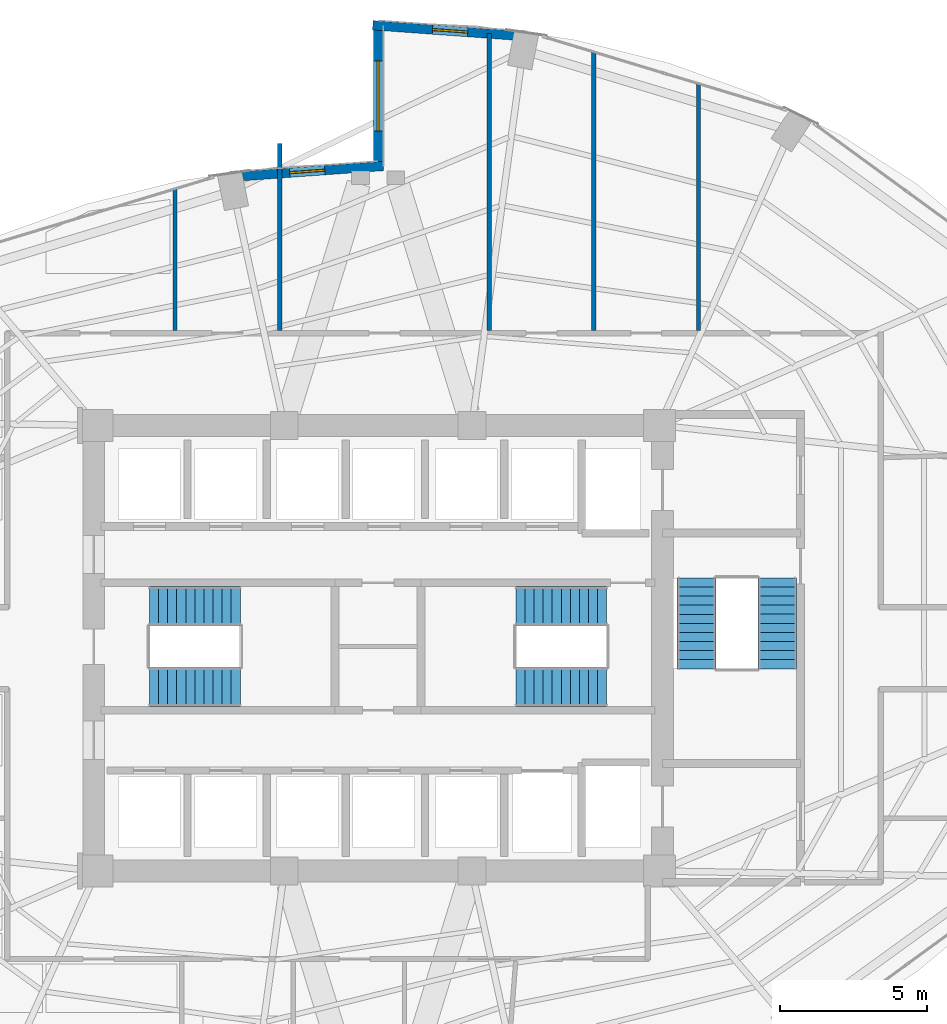
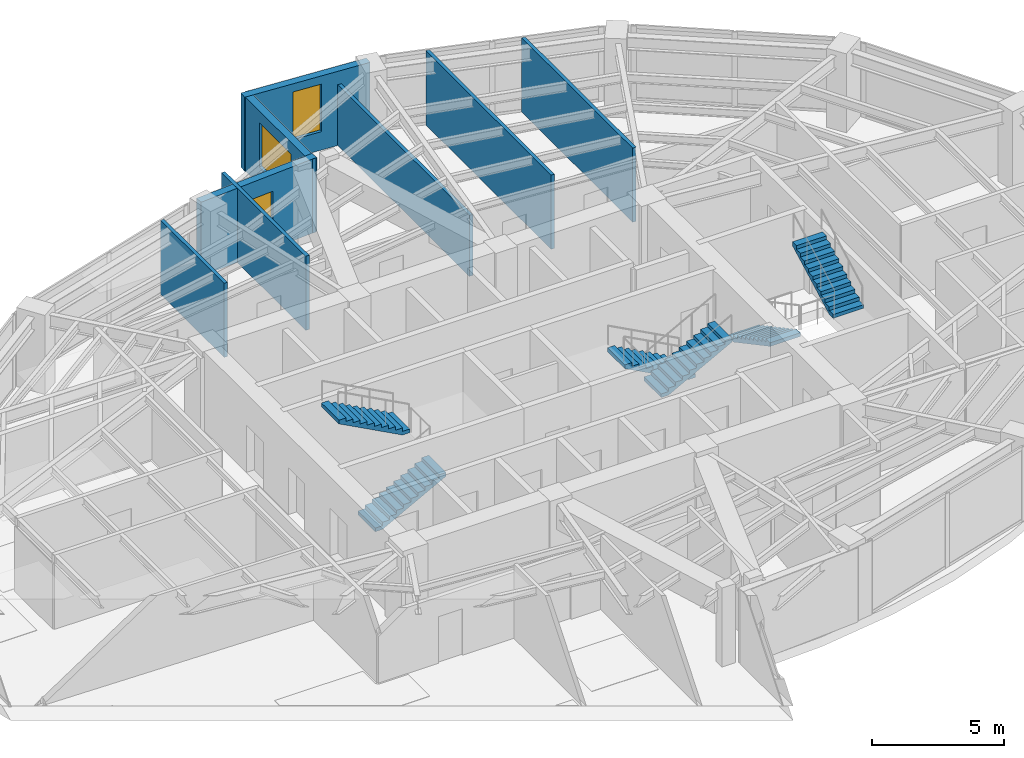
# One storey, part 21 of 23: 8 walls, 6 stair flights, 3 windows, 3 openings, 3 elements without a shape of their own.
"""IFC4 building model written with IfcOpenShell, lengths in metres."""

import ifcopenshell
import ifcopenshell.guid

model = None  # the IFC model being written
_history = None  # IfcOwnerHistory: only IFC2X3 demands one
_inside = {}  # id of a spatial element -> (the spatial element, [elements in it])
_under = {}  # id of a project, library or spatial element -> (it, [spatial elements below it])
_declared = {}  # id of a project -> (the project, [libraries it declares])
_typed = {}  # id of a type object -> (the type object, [elements of that type])
_made_of = {}  # id of a material, layer set ... -> (it, [elements and type objects made of it])


def new_model(schema):
    """Start an empty IFC model of exactly this schema.

    Asked for "IFC4X3", IfcOpenShell would pick the latest addendum, in which some entities
    have other attributes; the version numbers below select the first issue.
    IFC2X3 requires an IfcOwnerHistory on every rooted entity: one is made here for all.
    """
    global model, _history
    if schema == "IFC4X3":
        model = ifcopenshell.file(schema_version=(4, 3, 0, 0))
    else:
        model = ifcopenshell.file(schema=schema)
    _inside.clear()
    _under.clear()
    _declared.clear()
    _typed.clear()
    _made_of.clear()
    _history = None
    if model.schema == "IFC2X3":
        org = make("IfcOrganization", Name="unknown")
        user = make(
            "IfcPersonAndOrganization",
            ThePerson=make("IfcPerson", FamilyName="unknown"),
            TheOrganization=org,
        )
        app = make(
            "IfcApplication",
            ApplicationDeveloper=org,
            Version="unknown",
            ApplicationFullName="unknown",
            ApplicationIdentifier="unknown",
        )
        _history = make(
            "IfcOwnerHistory",
            OwningUser=user,
            OwningApplication=app,
            ChangeAction="ADDED",
            CreationDate=0,
        )
    return model


def make(cls, **values):
    """One entity of the class cls with the attributes given. An attribute that is None is left unset."""
    return model.create_entity(
        cls, **{name: value for name, value in values.items() if value is not None}
    )


def rooted(cls, **values):
    """An entity with a GlobalId (a new one), such as an element, a storey or a relation."""
    return make(cls, GlobalId=ifcopenshell.guid.new(), OwnerHistory=_history, **values)


def si_unit(unit_type, name, prefix=None):
    """IfcSIUnit, for example si_unit("LENGTHUNIT", "METRE", prefix="MILLI")."""
    return make("IfcSIUnit", UnitType=unit_type, Prefix=prefix, Name=name)


def assignment(units):
    """IfcUnitAssignment: the units of a project."""
    return None if units is None else make("IfcUnitAssignment", Units=units)


def point(xyz):
    """IfcCartesianPoint."""
    return None if xyz is None else make("IfcCartesianPoint", Coordinates=xyz)


def direction(xyz):
    """IfcDirection."""
    return None if xyz is None else make("IfcDirection", DirectionRatios=xyz)


def frame(location, z_axis=None, x_axis=None):
    """IfcAxis2Placement3D, a coordinate frame: its origin and axes. An axis left out is left unset."""
    return make(
        "IfcAxis2Placement3D",
        Location=point(location),
        Axis=direction(z_axis),
        RefDirection=direction(x_axis),
    )


def frame_2d(location, x_axis=None):
    """IfcAxis2Placement2D, a coordinate frame in the plane: its origin and x axis."""
    return make(
        "IfcAxis2Placement2D", Location=point(location), RefDirection=direction(x_axis)
    )


def origin():
    """The frame at (0, 0, 0) with its axes left unset."""
    return frame((0.0, 0.0, 0.0))


def place(relative_to, where):
    """IfcLocalPlacement: puts the frame where relative to a parent placement (None: the world)."""
    return make(
        "IfcLocalPlacement", PlacementRelTo=relative_to, RelativePlacement=where
    )


def context(
    kind, dimensions, precision=None, world=None, true_north=None, identifier=None
):
    """IfcGeometricRepresentationContext, for example the 3D "Model" context."""
    return make(
        "IfcGeometricRepresentationContext",
        ContextIdentifier=identifier,
        ContextType=kind,
        CoordinateSpaceDimension=dimensions,
        Precision=precision,
        WorldCoordinateSystem=world,
        TrueNorth=true_north,
    )


def subcontext(parent, identifier, kind, view, scale=None):
    """IfcGeometricRepresentationSubContext, for example "Body" below "Model"."""
    return make(
        "IfcGeometricRepresentationSubContext",
        ContextIdentifier=identifier,
        ContextType=kind,
        ParentContext=parent,
        TargetScale=scale,
        TargetView=view,
    )


def project(units=None, contexts=None):
    """IfcProject with its units and contexts."""
    return rooted(
        "IfcProject",
        Name="project",
        RepresentationContexts=contexts,
        UnitsInContext=assignment(units),
    )


def spatial(cls, under=None, at=None, **own):
    """A site, building, storey or space (cls), placed at a placement, below another one or the project."""
    s = rooted(cls, ObjectPlacement=at, **own)
    if under is not None:
        _under.setdefault(under.id(), (under, []))[1].append(s)
    return s


def polyline(points):
    """IfcPolyline through the points."""
    return make("IfcPolyline", Points=[point(p) for p in points])


def profile(cls, at=None, kind="AREA", **sizes):
    """A parametric profile (cls). Its sizes go by their IFC names, for example OverallWidth=200.0."""
    return make(cls, ProfileType=kind, Position=at, **sizes)


def rectangle(**sizes):
    """IfcRectangleProfileDef."""
    return profile("IfcRectangleProfileDef", **sizes)


def outline(outer, holes=None, kind="AREA"):
    """IfcArbitraryClosedProfileDef: a profile drawn as a closed curve; with holes, ...WithVoids."""
    if holes is None:
        return make("IfcArbitraryClosedProfileDef", ProfileType=kind, OuterCurve=outer)
    return make(
        "IfcArbitraryProfileDefWithVoids",
        ProfileType=kind,
        OuterCurve=outer,
        InnerCurves=holes,
    )


def extrude(swept, where, along, depth):
    """IfcExtrudedAreaSolid: the profile swept, set in the frame where, extruded along a direction by depth."""
    return make(
        "IfcExtrudedAreaSolid",
        SweptArea=swept,
        Position=where,
        ExtrudedDirection=direction(along),
        Depth=depth,
    )


def shape(context_of_items, identifier, shape_type, items):
    """IfcShapeRepresentation: the items that make up one representation, for example the "Body"."""
    return make(
        "IfcShapeRepresentation",
        ContextOfItems=context_of_items,
        RepresentationIdentifier=identifier,
        RepresentationType=shape_type,
        Items=items,
    )


def material(Name=None, Category=None):
    """IfcMaterial."""
    return make("IfcMaterial", Name=Name, Category=Category)


def layer(
    of_material, thickness, ventilated=None, Name=None, Category=None, Priority=None
):
    """IfcMaterialLayer: one layer of a wall or slab, of a material (None: an air gap)."""
    return make(
        "IfcMaterialLayer",
        Material=of_material,
        LayerThickness=thickness,
        IsVentilated=ventilated,
        Name=Name,
        Category=Category,
        Priority=Priority,
    )


def layer_set(layers, Name=None):
    """IfcMaterialLayerSet."""
    return make("IfcMaterialLayerSet", MaterialLayers=layers, LayerSetName=Name)


def made_of(thing, what):
    """Note that an element or type object is made of a material, layer set ...; save() writes the relation."""
    if what is not None:
        _made_of.setdefault(what.id(), (what, []))[1].append(thing)
    return thing


def type_object(cls, material=None, **own):
    """A type object (cls), such as IfcWallType, which elements share."""
    return made_of(rooted(cls, **own), material)


def element(
    cls,
    number,
    at=None,
    inside=None,
    cuts=None,
    type_object=None,
    material=None,
    context=None,
    identifier="Body",
    shape_type=None,
    held_by="IfcProductDefinitionShape",
    body=None,
    shapes=None,
    **own,
):
    """One element of the class cls, such as IfcWall. Its Tag is "e" and its number.

    at: its placement. inside: the storey or other place that contains it. cuts: it is an
    opening in that element (IfcRelVoidsElement). A single representation is given by context,
    identifier, shape_type and body (its items); several are given by shapes. held_by: the class
    of the entity that holds the representations. save() writes the other relations.
    """
    e = rooted(cls, Tag="e%d" % number, ObjectPlacement=at, **own)
    if body is not None:
        shapes = [shape(context, identifier, shape_type, body)]
    if shapes is not None:
        e.Representation = make(held_by, Representations=shapes)
    if inside is not None:
        _inside.setdefault(inside.id(), (inside, []))[1].append(e)
    if cuts is not None:
        rooted(
            "IfcRelVoidsElement", RelatingBuildingElement=cuts, RelatedOpeningElement=e
        )
    if type_object is not None:
        _typed.setdefault(type_object.id(), (type_object, []))[1].append(e)
    return made_of(e, material)


def fill(opening, filler):
    """IfcRelFillsElement: the door or window that sits in an opening."""
    return rooted(
        "IfcRelFillsElement",
        RelatingOpeningElement=opening,
        RelatedBuildingElement=filler,
    )


def aggregate(whole, parts):
    """IfcRelAggregates: a whole, such as a stair, and the parts it consists of."""
    return rooted("IfcRelAggregates", RelatingObject=whole, RelatedObjects=parts)


def save(model, path):
    """Write the relations noted so far, then the file.

    IfcRelAggregates (storeys below a building ...), IfcRelContainedInSpatialStructure (elements
    in a storey), IfcRelDefinesByType, IfcRelAssociatesMaterial and IfcRelDeclares: one each for
    every whole, place, type object, material and project.
    """
    for whole, parts in _under.values():
        aggregate(whole, parts)
    for where, things in _inside.values():
        rooted(
            "IfcRelContainedInSpatialStructure",
            RelatedElements=things,
            RelatingStructure=where,
        )
    for kind, things in _typed.values():
        rooted("IfcRelDefinesByType", RelatedObjects=things, RelatingType=kind)
    for what, things in _made_of.values():
        rooted("IfcRelAssociatesMaterial", RelatedObjects=things, RelatingMaterial=what)
    for by, libraries in _declared.values():
        rooted("IfcRelDeclares", RelatingContext=by, RelatedDefinitions=libraries)
    model.write(path)


model = new_model("IFC4")

# Units and contexts
model_context = context("Model", 3, precision=1e-05, world=origin(), true_north=direction((0.0, 1.0)))
body_context = subcontext(model_context, "Body", "Model", "MODEL_VIEW")
ifc_project = project(units=[si_unit("LENGTHUNIT", "METRE"), si_unit("AREAUNIT", "SQUARE_METRE"), si_unit("VOLUMEUNIT", "CUBIC_METRE"), si_unit("PLANEANGLEUNIT", "RADIAN"), si_unit("MASSUNIT", "GRAM", prefix="KILO")], contexts=[model_context])

# Site, building, storey
site_placement = place(None, origin())
site = spatial("IfcSite", under=ifc_project, at=site_placement, CompositionType="ELEMENT")
building_placement = place(site_placement, origin())
building = spatial("IfcBuilding", under=site, at=building_placement, Name="Lazwardi Medical Tower", CompositionType="ELEMENT")
storey_placement = place(building_placement, frame((0.0, 0.0, 81.743896484375)))
storey = spatial("IfcBuildingStorey", under=building, at=storey_placement, Name="L20", CompositionType="ELEMENT", Elevation=81.743896484375)

# Wall, opening, window
ifc_material_1 = material(Name="Precast concrete C45/55", Category="concrete")
ifc_layer_1 = layer(ifc_material_1, 0.320068359375)
ifc_layer_set_1 = layer_set([ifc_layer_1], Name="Precast concrete C45/55")
wall_type_1 = type_object("IfcWallType", Name="WL-IWAN-320", PredefinedType="SOLIDWALL", material=ifc_layer_set_1)
wall_1_placement = place(storey_placement, frame((41.091064453125, 48.87451171875, 0.0), z_axis=(0.0, 0.0, 1.0), x_axis=(-0.997432364291, 0.071614793619, 0.0)))
wall_1 = element("IfcWall", 1, at=wall_1_placement, inside=storey, type_object=wall_type_1, Name="L20 Iwan Portal Return Wall NE_ret", PredefinedType="SOLIDWALL", context=body_context, shape_type="SweptSolid", body=[
    extrude(rectangle(XDim=5.2841796875, YDim=0.320068359375, at=frame_2d((2.64208984375, 0.0))), origin(), (0.0, 0.0, 1.0), 3.42822265625),
])
opening_1_placement = place(wall_1_placement, frame((2.0419921875, 0.0, 0.85009765625)))
opening_1 = element("IfcOpeningElement", 2, at=opening_1_placement, cuts=wall_1, Name="Opening WN-01", PredefinedType="OPENING", context=body_context, shape_type="SweptSolid", body=[
    extrude(rectangle(XDim=1.199951171875, YDim=2.199951171875, at=frame_2d((0.60009765625, 1.10009765625))), frame((0.0, 0.169921875, 0.0), z_axis=(0.0, -1.0, 0.0), x_axis=(1.0, 0.0, 0.0)), (0.0, 0.0, 1.0), 0.340087890625),
])
ifc_material_2 = material(Name="Low-e bronze solar control double glazing", Category="glass")
window_type_1 = type_object("IfcWindowType", Name="WIN-IW-1200", PartitioningType="SINGLE_PANEL", PredefinedType="WINDOW", material=ifc_material_2)
window_1_placement = place(opening_1_placement, origin())
window_1 = element("IfcWindow", 3, at=window_1_placement, inside=storey, type_object=window_type_1, Name="L20 Iwan Slot Window NE_ret", OverallHeight=2.199951171875, OverallWidth=1.199951171875, PartitioningType="SINGLE_PANEL", PredefinedType="WINDOW", context=body_context, shape_type="SweptSolid", body=[
    extrude(rectangle(XDim=1.199951171875, YDim=2.199951171875, at=frame_2d((0.60009765625, 1.10009765625))), frame((0.0, 0.030029296875, 0.0), z_axis=(0.0, -1.0, 0.0), x_axis=(1.0, 0.0, 0.0)), (0.0, 0.0, 1.0), 0.06005859375),
])
fill(opening_1, window_1)

wall_2_placement = place(storey_placement, frame((36.178955078125, 44.452880859375, 0.0), z_axis=(0.0, 0.0, 1.0), x_axis=(-0.997431890304, -0.071621394884, 0.0)))
wall_2 = element("IfcWall", 4, at=wall_2_placement, inside=storey, type_object=wall_type_1, Name="L20 Iwan Portal Return Wall NW_ret", PredefinedType="SOLIDWALL", context=body_context, shape_type="SweptSolid", body=[
    extrude(rectangle(XDim=5.28369140625, YDim=0.320068359375, at=frame_2d((2.641845703125, 0.0))), origin(), (0.0, 0.0, 1.0), 3.42822265625),
])
opening_2_placement = place(wall_2_placement, frame((2.007080078125, 0.0, 0.85009765625)))
opening_2 = element("IfcOpeningElement", 5, at=opening_2_placement, cuts=wall_2, Name="Opening WN-04", PredefinedType="OPENING", context=body_context, shape_type="SweptSolid", body=[
    extrude(rectangle(XDim=1.199951171875, YDim=1.800048828125, at=frame_2d((0.60009765625, 0.89990234375))), frame((0.0, 0.169921875, 0.0), z_axis=(0.0, -1.0, 0.0), x_axis=(1.0, 0.0, 0.0)), (0.0, 0.0, 1.0), 0.340087890625),
])
window_type_2 = type_object("IfcWindowType", Name="WIN-DRUM-1200", PartitioningType="SINGLE_PANEL", PredefinedType="WINDOW", material=ifc_material_2)
window_2_placement = place(opening_2_placement, origin())
window_2 = element("IfcWindow", 6, at=window_2_placement, inside=storey, type_object=window_type_2, Name="L20 Iwan Slot Window NW_ret", OverallHeight=1.800048828125, OverallWidth=1.199951171875, PartitioningType="SINGLE_PANEL", PredefinedType="WINDOW", context=body_context, shape_type="SweptSolid", body=[
    extrude(rectangle(XDim=1.199951171875, YDim=1.800048828125, at=frame_2d((0.60009765625, 0.89990234375))), frame((0.0, 0.030029296875, 0.0), z_axis=(0.0, -1.0, 0.0), x_axis=(1.0, 0.0, 0.0)), (0.0, 0.0, 1.0), 0.06005859375),
])
fill(opening_2, window_2)

wall_3_placement = place(storey_placement, frame((36.0, 49.39990234375, 0.0), z_axis=(0.0, 0.0, 1.0), x_axis=(0.0, -1.0, 0.0)))
wall_3 = element("IfcWall", 7, at=wall_3_placement, inside=storey, type_object=wall_type_1, Name="L20 Turquoise Tilework Iwan Seam Wall N_seam", PredefinedType="SOLIDWALL", context=body_context, shape_type="SweptSolid", body=[
    extrude(rectangle(XDim=5.119873046875, YDim=0.320068359375, at=frame_2d((2.56005859375, 0.0))), origin(), (0.0, 0.0, 1.0), 3.42822265625),
])
opening_3_placement = place(wall_3_placement, frame((1.360107421875, 0.0, 0.840087890625)))
opening_3 = element("IfcOpeningElement", 8, at=opening_3_placement, cuts=wall_3, Name="Opening WN-02", PredefinedType="OPENING", context=body_context, shape_type="SweptSolid", body=[
    extrude(rectangle(XDim=2.39990234375, YDim=2.0400390625, at=frame_2d((1.199951171875, 1.02001953125))), frame((0.0, 0.169921875, 0.0), z_axis=(0.0, -1.0, 0.0), x_axis=(1.0, 0.0, 0.0)), (0.0, 0.0, 1.0), 0.340087890625),
])
window_type_3 = type_object("IfcWindowType", Name="WIN-IW-2400", PartitioningType="SINGLE_PANEL", PredefinedType="WINDOW", material=ifc_material_2)
window_3_placement = place(opening_3_placement, origin())
window_3 = element("IfcWindow", 9, at=window_3_placement, inside=storey, type_object=window_type_3, Name="L20 Iwan Seam Window N_seam", OverallHeight=2.0400390625, OverallWidth=2.39990234375, PartitioningType="SINGLE_PANEL", PredefinedType="WINDOW", context=body_context, shape_type="SweptSolid", body=[
    extrude(rectangle(XDim=2.39990234375, YDim=2.0400390625, at=frame_2d((1.199951171875, 1.02001953125))), frame((0.0, 0.030029296875, 0.0), z_axis=(0.0, -1.0, 0.0), x_axis=(1.0, 0.0, 0.0)), (0.0, 0.0, 1.0), 0.06005859375),
])
fill(opening_3, window_3)

# Walls
ifc_material_3 = material(Name="Acoustic gypsum board partition")
ifc_layer_2 = layer(ifc_material_3, 0.14990234375)
ifc_layer_set_2 = layer_set([ifc_layer_2], Name="Acoustic gypsum board partition")
wall_type_2 = type_object("IfcWallType", Name="WL-WRD-150", PredefinedType="PARTITIONING", material=ifc_layer_set_2)
wall_4_placement = place(storey_placement, frame((29.070068359375, 38.840087890625, 0.0), z_axis=(0.0, 0.0, 1.0), x_axis=(0.0, 1.0, 0.0)))
element("IfcWall", 10, at=wall_4_placement, inside=storey, type_object=wall_type_2, Name="L20 Room partition 5", PredefinedType="PARTITIONING", context=body_context, shape_type="SweptSolid", body=[
    extrude(rectangle(XDim=4.817138671875, YDim=0.14990234375, at=frame_2d((2.40869140625, 0.0))), origin(), (0.0, 0.0, 1.0), 3.42822265625),
])
wall_5_placement = place(storey_placement, frame((32.639892578125, 38.840087890625, 0.0), z_axis=(0.0, 0.0, 1.0), x_axis=(0.0, 1.0, 0.0)))
element("IfcWall", 11, at=wall_5_placement, inside=storey, type_object=wall_type_2, Name="L20 Room partition 6", PredefinedType="PARTITIONING", context=body_context, shape_type="SweptSolid", body=[
    extrude(rectangle(XDim=6.379638671875, YDim=0.14990234375, at=frame_2d((3.18994140625, 0.0))), origin(), (0.0, 0.0, 1.0), 3.42822265625),
])
wall_6_placement = place(storey_placement, frame((39.7900390625, 38.840087890625, 0.0), z_axis=(0.0, 0.0, 1.0), x_axis=(0.0, 1.0, 0.0)))
element("IfcWall", 12, at=wall_6_placement, inside=storey, type_object=wall_type_2, Name="L20 Room partition 7", PredefinedType="PARTITIONING", context=body_context, shape_type="SweptSolid", body=[
    extrude(rectangle(XDim=10.13525390625, YDim=0.14990234375, at=frame_2d((5.067626953125, 0.0))), origin(), (0.0, 0.0, 1.0), 2.81298828125),
])
wall_7_placement = place(storey_placement, frame((43.360107421875, 38.840087890625, 0.0), z_axis=(0.0, 0.0, 1.0), x_axis=(0.0, 1.0, 0.0)))
element("IfcWall", 13, at=wall_7_placement, inside=storey, type_object=wall_type_2, Name="L20 Room partition 8", PredefinedType="PARTITIONING", context=body_context, shape_type="SweptSolid", body=[
    extrude(rectangle(XDim=9.4873046875, YDim=0.14990234375, at=frame_2d((4.74365234375, 0.0))), origin(), (0.0, 0.0, 1.0), 3.42822265625),
])
wall_8_placement = place(storey_placement, frame((46.929931640625, 38.840087890625, 0.0), z_axis=(0.0, 0.0, 1.0), x_axis=(0.0, 1.0, 0.0)))
element("IfcWall", 14, at=wall_8_placement, inside=storey, type_object=wall_type_2, Name="L20 Room partition 9", PredefinedType="PARTITIONING", context=body_context, shape_type="SweptSolid", body=[
    extrude(rectangle(XDim=8.407958984375, YDim=0.14990234375, at=frame_2d((4.2041015625, 0.0))), origin(), (0.0, 0.0, 1.0), 3.42822265625),
])

# Stair, stair flights
ifc_material_4 = material(Name="Concrete C45/55", Category="concrete")
stair_type = type_object("IfcStairType", Name="STR-WRD", PredefinedType="HALF_TURN_STAIR", material=ifc_material_4)
stair_1_placement = place(storey_placement, origin())
stair_1 = element("IfcStair", 15, at=stair_1_placement, inside=storey, type_object=stair_type, Name="L20 Protected Exit Stair ST1", PredefinedType="HALF_TURN_STAIR")
stair_flight_type = type_object("IfcStairFlightType", Name="FLT-WRD", PredefinedType="STRAIGHT", material=ifc_material_4)
stair_flight_1_placement = place(storey_placement, frame((28.199951171875, 26.679931640625, 0.0), z_axis=(0.0, 0.0, 1.0), x_axis=(1.0, 0.0, 0.0)))
stair_flight_1 = element("IfcStairFlight", 16, at=stair_flight_1_placement, type_object=stair_flight_type, Name="ST1 flight 1", NumberOfRisers=11, NumberOfTreads=10, PredefinedType="STRAIGHT", RiserHeight=0.165818182, TreadLength=0.31, context=body_context, shape_type="SweptSolid", body=[
    extrude(outline(polyline([(0.0, 0.0), (0.0, 0.165771484375), (0.31005859375, 0.165771484375), (0.31005859375, 0.33154296875), (0.6201171875, 0.33154296875), (0.6201171875, 0.49755859375), (0.929931640625, 0.49755859375), (0.929931640625, 0.663330078125), (1.239990234375, 0.663330078125), (1.239990234375, 0.8291015625), (1.550048828125, 0.8291015625), (1.550048828125, 0.994873046875), (1.860107421875, 0.994873046875), (1.860107421875, 1.16064453125), (2.169921875, 1.16064453125), (2.169921875, 1.32666015625), (2.47998046875, 1.32666015625), (2.47998046875, 1.492431640625), (2.7900390625, 1.492431640625), (2.7900390625, 1.658203125), (3.10009765625, 1.658203125), (3.10009765625, 1.823974609375), (3.10009765625, 1.48828125), (0.31787109375, 0.0), (0.0, 0.0)])), frame((0.0, 0.66015625, 0.0), z_axis=(0.0, -1.0, 0.0), x_axis=(1.0, 0.0, 0.0)), (0.0, 0.0, 1.0), 1.320068359375),
])
stair_flight_2_placement = place(storey_placement, frame((31.300048828125, 29.43994140625, 1.82421875), z_axis=(0.0, 0.0, 1.0), x_axis=(-1.0, 0.0, 0.0)))
stair_flight_2 = element("IfcStairFlight", 17, at=stair_flight_2_placement, type_object=stair_flight_type, Name="ST1 flight 2", NumberOfRisers=11, NumberOfTreads=10, PredefinedType="STRAIGHT", RiserHeight=0.165818182, TreadLength=0.31, context=body_context, shape_type="SweptSolid", body=[
    extrude(outline(polyline([(0.0, 0.0), (0.0, 0.165771484375), (0.31005859375, 0.165771484375), (0.31005859375, 0.33154296875), (0.6201171875, 0.33154296875), (0.6201171875, 0.49755859375), (0.929931640625, 0.49755859375), (0.929931640625, 0.663330078125), (1.239990234375, 0.663330078125), (1.239990234375, 0.8291015625), (1.550048828125, 0.8291015625), (1.550048828125, 0.994873046875), (1.860107421875, 0.994873046875), (1.860107421875, 1.16064453125), (2.169921875, 1.16064453125), (2.169921875, 1.32666015625), (2.47998046875, 1.32666015625), (2.47998046875, 1.492431640625), (2.7900390625, 1.492431640625), (2.7900390625, 1.658203125), (3.10009765625, 1.658203125), (3.10009765625, 1.823974609375), (3.10009765625, 1.48828125), (0.31787109375, 0.0), (0.0, 0.0)])), frame((0.0, 0.66015625, 0.0), z_axis=(0.0, -1.0, 0.0), x_axis=(1.0, 0.0, 0.0)), (0.0, 0.0, 1.0), 1.320068359375),
])
aggregate(stair_1, [stair_flight_1, stair_flight_2])

stair_2_placement = place(storey_placement, origin())
stair_2 = element("IfcStair", 18, at=stair_2_placement, inside=storey, type_object=stair_type, Name="L20 Protected Exit Stair ST2", PredefinedType="HALF_TURN_STAIR")
stair_flight_3_placement = place(storey_placement, frame((43.800048828125, 29.43994140625, 0.0), z_axis=(0.0, 0.0, 1.0), x_axis=(-1.0, 0.0, 0.0)))
stair_flight_3 = element("IfcStairFlight", 19, at=stair_flight_3_placement, type_object=stair_flight_type, Name="ST2 flight 1", NumberOfRisers=11, NumberOfTreads=10, PredefinedType="STRAIGHT", RiserHeight=0.165818182, TreadLength=0.31, context=body_context, shape_type="SweptSolid", body=[
    extrude(outline(polyline([(0.0, 0.0), (0.0, 0.165771484375), (0.31005859375, 0.165771484375), (0.31005859375, 0.33154296875), (0.6201171875, 0.33154296875), (0.6201171875, 0.49755859375), (0.929931640625, 0.49755859375), (0.929931640625, 0.663330078125), (1.239990234375, 0.663330078125), (1.239990234375, 0.8291015625), (1.550048828125, 0.8291015625), (1.550048828125, 0.994873046875), (1.860107421875, 0.994873046875), (1.860107421875, 1.16064453125), (2.169921875, 1.16064453125), (2.169921875, 1.32666015625), (2.47998046875, 1.32666015625), (2.47998046875, 1.492431640625), (2.7900390625, 1.492431640625), (2.7900390625, 1.658203125), (3.10009765625, 1.658203125), (3.10009765625, 1.823974609375), (3.10009765625, 1.48828125), (0.31787109375, 0.0), (0.0, 0.0)])), frame((0.0, 0.66015625, 0.0), z_axis=(0.0, -1.0, 0.0), x_axis=(1.0, 0.0, 0.0)), (0.0, 0.0, 1.0), 1.320068359375),
])
stair_flight_4_placement = place(storey_placement, frame((40.699951171875, 26.679931640625, 1.82421875), z_axis=(0.0, 0.0, 1.0), x_axis=(1.0, 0.0, 0.0)))
stair_flight_4 = element("IfcStairFlight", 20, at=stair_flight_4_placement, type_object=stair_flight_type, Name="ST2 flight 2", NumberOfRisers=11, NumberOfTreads=10, PredefinedType="STRAIGHT", RiserHeight=0.165818182, TreadLength=0.31, context=body_context, shape_type="SweptSolid", body=[
    extrude(outline(polyline([(0.0, 0.0), (0.0, 0.165771484375), (0.31005859375, 0.165771484375), (0.31005859375, 0.33154296875), (0.6201171875, 0.33154296875), (0.6201171875, 0.49755859375), (0.929931640625, 0.49755859375), (0.929931640625, 0.663330078125), (1.239990234375, 0.663330078125), (1.239990234375, 0.8291015625), (1.550048828125, 0.8291015625), (1.550048828125, 0.994873046875), (1.860107421875, 0.994873046875), (1.860107421875, 1.16064453125), (2.169921875, 1.16064453125), (2.169921875, 1.32666015625), (2.47998046875, 1.32666015625), (2.47998046875, 1.492431640625), (2.7900390625, 1.492431640625), (2.7900390625, 1.658203125), (3.10009765625, 1.658203125), (3.10009765625, 1.823974609375), (3.10009765625, 1.48828125), (0.31787109375, 0.0), (0.0, 0.0)])), frame((0.0, 0.66015625, 0.0), z_axis=(0.0, -1.0, 0.0), x_axis=(1.0, 0.0, 0.0)), (0.0, 0.0, 1.0), 1.320068359375),
])
aggregate(stair_2, [stair_flight_3, stair_flight_4])

stair_3_placement = place(storey_placement, origin())
stair_3 = element("IfcStair", 21, at=stair_3_placement, inside=storey, type_object=stair_type, Name="L20 Protected Exit Stair ST3", PredefinedType="HALF_TURN_STAIR")
stair_flight_5_placement = place(storey_placement, frame((46.860107421875, 30.39990234375, 0.0), z_axis=(0.0, 0.0, 1.0), x_axis=(0.0, -1.0, 0.0)))
stair_flight_5 = element("IfcStairFlight", 22, at=stair_flight_5_placement, type_object=stair_flight_type, Name="ST3 flight 1", NumberOfRisers=11, NumberOfTreads=10, PredefinedType="STRAIGHT", RiserHeight=0.165818182, TreadLength=0.31, context=body_context, shape_type="SweptSolid", body=[
    extrude(outline(polyline([(0.0, 0.0), (0.0, 0.165771484375), (0.31005859375, 0.165771484375), (0.31005859375, 0.33154296875), (0.6201171875, 0.33154296875), (0.6201171875, 0.49755859375), (0.929931640625, 0.49755859375), (0.929931640625, 0.663330078125), (1.239990234375, 0.663330078125), (1.239990234375, 0.8291015625), (1.550048828125, 0.8291015625), (1.550048828125, 0.994873046875), (1.860107421875, 0.994873046875), (1.860107421875, 1.16064453125), (2.169921875, 1.16064453125), (2.169921875, 1.32666015625), (2.47998046875, 1.32666015625), (2.47998046875, 1.492431640625), (2.7900390625, 1.492431640625), (2.7900390625, 1.658203125), (3.10009765625, 1.658203125), (3.10009765625, 1.823974609375), (3.10009765625, 1.48828125), (0.31787109375, 0.0), (0.0, 0.0)])), frame((0.0, 0.66015625, 0.0), z_axis=(0.0, -1.0, 0.0), x_axis=(1.0, 0.0, 0.0)), (0.0, 0.0, 1.0), 1.320068359375),
])
stair_flight_6_placement = place(storey_placement, frame((49.6201171875, 27.300048828125, 1.82421875), z_axis=(0.0, 0.0, 1.0), x_axis=(0.0, 1.0, 0.0)))
stair_flight_6 = element("IfcStairFlight", 23, at=stair_flight_6_placement, type_object=stair_flight_type, Name="ST3 flight 2", NumberOfRisers=11, NumberOfTreads=10, PredefinedType="STRAIGHT", RiserHeight=0.165818182, TreadLength=0.31, context=body_context, shape_type="SweptSolid", body=[
    extrude(outline(polyline([(0.0, 0.0), (0.0, 0.165771484375), (0.31005859375, 0.165771484375), (0.31005859375, 0.33154296875), (0.6201171875, 0.33154296875), (0.6201171875, 0.49755859375), (0.929931640625, 0.49755859375), (0.929931640625, 0.663330078125), (1.239990234375, 0.663330078125), (1.239990234375, 0.8291015625), (1.550048828125, 0.8291015625), (1.550048828125, 0.994873046875), (1.860107421875, 0.994873046875), (1.860107421875, 1.16064453125), (2.169921875, 1.16064453125), (2.169921875, 1.32666015625), (2.47998046875, 1.32666015625), (2.47998046875, 1.492431640625), (2.7900390625, 1.492431640625), (2.7900390625, 1.658203125), (3.10009765625, 1.658203125), (3.10009765625, 1.823974609375), (3.10009765625, 1.48828125), (0.31787109375, 0.0), (0.0, 0.0)])), frame((0.0, 0.66015625, 0.0), z_axis=(0.0, -1.0, 0.0), x_axis=(1.0, 0.0, 0.0)), (0.0, 0.0, 1.0), 1.320068359375),
])
aggregate(stair_3, [stair_flight_5, stair_flight_6])

save(model, "model.ifc")
